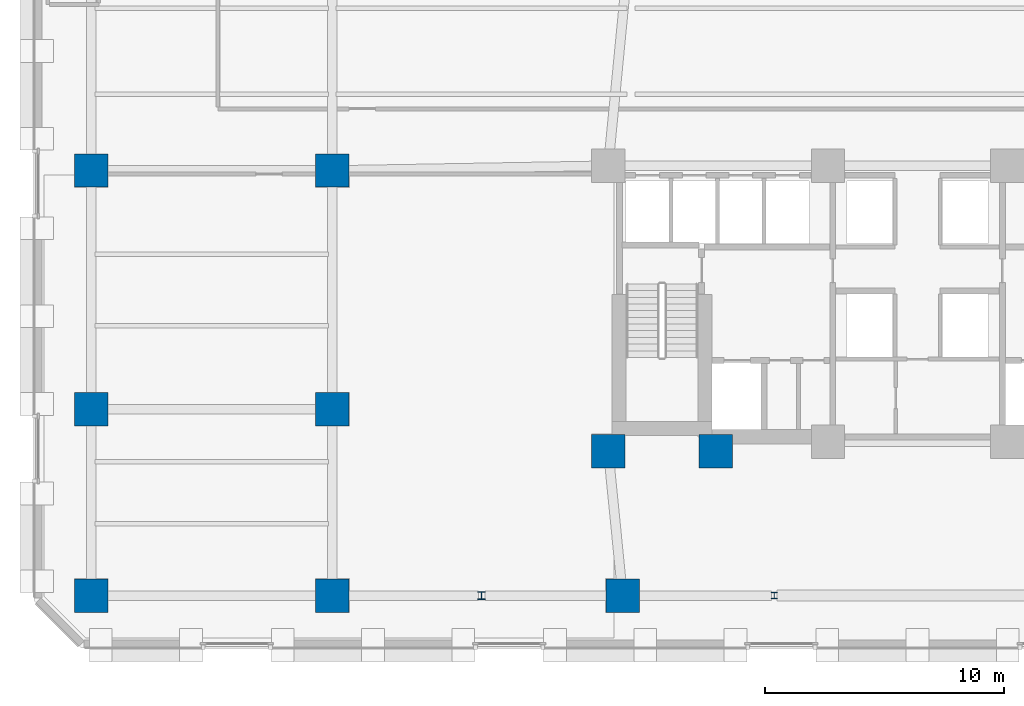
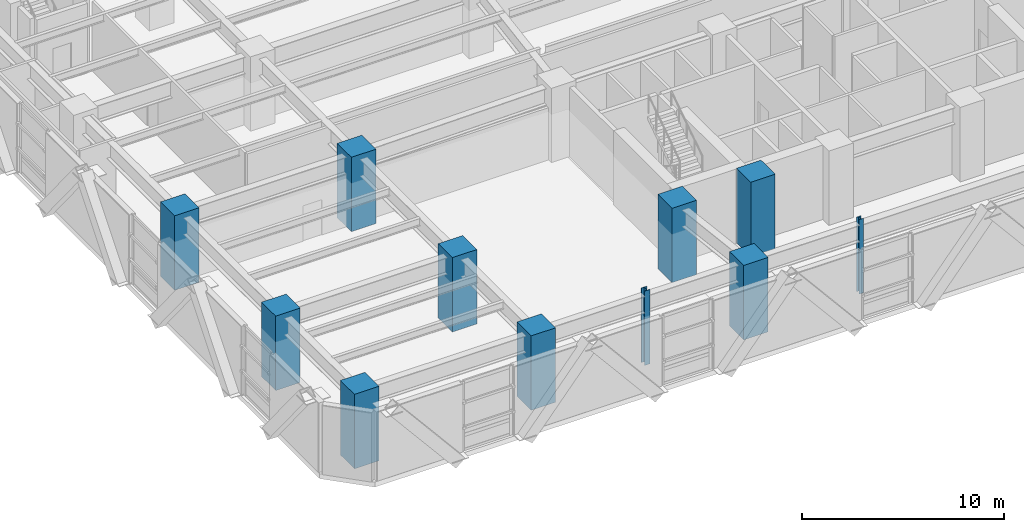
# One storey, part 1 of 26: 11 columns.
"""IFC4 building model written with IfcOpenShell, lengths in metres."""

from ifc_helpers import new_model, si_unit, direction, frame, origin, origin_2d, place, context, subcontext, project, spatial, rectangle, i_section, extrude, material, material_profile, profile_set, type_object, element, save


model = new_model("IFC4")

# Units and contexts
model_context = context("Model", 3, precision=1e-05, world=origin(), true_north=direction((0.0, 1.0)))
body_context = subcontext(model_context, "Body", "Model", "MODEL_VIEW")
ifc_project = project(units=[si_unit("LENGTHUNIT", "METRE"), si_unit("AREAUNIT", "SQUARE_METRE"), si_unit("VOLUMEUNIT", "CUBIC_METRE"), si_unit("PLANEANGLEUNIT", "RADIAN"), si_unit("MASSUNIT", "GRAM", prefix="KILO")], contexts=[model_context])

# Site, building, storey
site_placement = place(None, origin())
site = spatial("IfcSite", under=ifc_project, at=site_placement, CompositionType="ELEMENT")
building_placement = place(site_placement, origin())
building = spatial("IfcBuilding", under=site, at=building_placement, Name="Quenlor Broadcast Tower", CompositionType="ELEMENT")
storey_placement = place(building_placement, frame((0.0, 0.0, 14.0)))
storey = spatial("IfcBuildingStorey", under=building, at=storey_placement, Name="L03", CompositionType="ELEMENT", Elevation=14.0)

# Columns
ifc_material_1 = material(Name="Concrete C65/80", Category="concrete")
ifc_material_profile_1 = material_profile(ifc_material_1, rectangle(XDim=1.39990234375, YDim=1.39990234375, at=origin_2d()))
ifc_profile_set_1 = profile_set([ifc_material_profile_1], Name="Concrete C65/80 RC1400x1400")
column_type_1 = type_object("IfcColumnType", Name="Core Corner Column Lower Concrete C65/80 1400", PredefinedType="COLUMN", material=ifc_profile_set_1)
for number, where, z_axis, x_axis, name in (
    (1, (-12.949951171875, -16.75, 0.0), (0.0, 0.0, 1.0), (1.0, 0.0, 0.0), "L03 Core Column CC1"),
    (2, (-8.449951171875, -16.75, 0.0), (0.0, 0.0, 1.0), (1.0, 0.0, 0.0), "L03 Core Column CC2"),
):
    element("IfcColumn", number, at=place(storey_placement, frame(where, z_axis=z_axis, x_axis=x_axis)), inside=storey, type_object=column_type_1, Name=name, PredefinedType="COLUMN", context=body_context, shape_type="SweptSolid", body=[
        extrude(rectangle(XDim=1.39990234375, YDim=1.39990234375, at=origin_2d()), origin(), (0.0, 0.0, 1.0), 4.5),
    ])
ifc_material_2 = material(Name="Steel S355", Category="steel")
ifc_material_profile_2 = material_profile(ifc_material_2, i_section(OverallWidth=0.256103515625, OverallDepth=0.260009765625, WebThickness=0.010498046875, FlangeThickness=0.017333984375, FilletRadius=0.013916015625, at=origin_2d()))
ifc_profile_set_2 = profile_set([ifc_material_profile_2], Name="Steel S355 250UC89.5")
column_type_2 = type_object("IfcColumnType", Name="Podium Gallery Post Steel S355 250UC89.5", PredefinedType="COLUMN", material=ifc_profile_set_2)
column_1_placement = place(storey_placement, frame((-6.0, -22.800048828125, 0.0), z_axis=(0.0, 0.0, 1.0), x_axis=(1.0, 0.0, 0.0)))
element("IfcColumn", 3, at=column_1_placement, inside=storey, type_object=column_type_2, Name="L03 Station Steel Column SPW2", PredefinedType="COLUMN", context=body_context, shape_type="SweptSolid", body=[
    extrude(i_section(OverallWidth=0.256103515625, OverallDepth=0.260009765625, WebThickness=0.010498046875, FlangeThickness=0.017333984375, FilletRadius=0.013916015625, at=origin_2d()), origin(), (0.0, 0.0, 1.0), 4.5),
])
ifc_material_3 = material(Name="Concrete C65/80", Category="concrete")
ifc_material_profile_3 = material_profile(ifc_material_3, rectangle(XDim=1.39990234375, YDim=1.39990234375, at=origin_2d()))
ifc_profile_set_3 = profile_set([ifc_material_profile_3], Name="Concrete C65/80 RC1400x1400")
column_type_3 = type_object("IfcColumnType", Name="Podium Mega Column Concrete C65/80 1400", PredefinedType="COLUMN", material=ifc_profile_set_3)
for number, where, z_axis, x_axis, name in (
    (4, (-34.60009765625, -22.800048828125, 0.0), (0.0, 0.0, 1.0), (1.0, 0.0, 0.0), "L03 Podium Mega Column PM1"),
    (5, (-24.5, -22.800048828125, 0.0), (0.0, 0.0, 1.0), (1.0, 0.0, 0.0), "L03 Podium Mega Column PM2"),
    (6, (-12.35009765625, -22.800048828125, 0.0), (0.0, 0.0, 1.0), (1.0, 0.0, 0.0), "L03 Podium Mega Column PM3"),
    (7, (-34.60009765625, -15.0, 0.0), (0.0, 0.0, 1.0), (1.0, 0.0, 0.0), "L03 Podium Mega Column PM7"),
    (8, (-24.5, -15.0, 0.0), (0.0, 0.0, 1.0), (1.0, 0.0, 0.0), "L03 Podium Mega Column PM8"),
    (9, (-34.60009765625, -5.0, 0.0), (0.0, 0.0, 1.0), (1.0, 0.0, 0.0), "L03 Podium Mega Column PM11"),
    (10, (-24.5, -5.0, 0.0), (0.0, 0.0, 1.0), (1.0, 0.0, 0.0), "L03 Podium Mega Column PM12"),
):
    element("IfcColumn", number, at=place(storey_placement, frame(where, z_axis=z_axis, x_axis=x_axis)), inside=storey, type_object=column_type_3, Name=name, PredefinedType="COLUMN", context=body_context, shape_type="SweptSolid", body=[
        extrude(rectangle(XDim=1.39990234375, YDim=1.39990234375, at=origin_2d()), origin(), (0.0, 0.0, 1.0), 4.5),
    ])
ifc_material_4 = material(Name="Steel S355", Category="steel")
ifc_material_profile_4 = material_profile(ifc_material_4, i_section(OverallWidth=0.31103515625, OverallDepth=0.3271484375, WebThickness=0.015625, FlangeThickness=0.02490234375, FilletRadius=0.0166015625, at=origin_2d()))
ifc_profile_set_4 = profile_set([ifc_material_profile_4], Name="Steel S355 310UC158")
column_type_4 = type_object("IfcColumnType", Name="Podium Trim Post Steel S355 310UC158", PredefinedType="COLUMN", material=ifc_profile_set_4)
column_2_placement = place(storey_placement, frame((-18.25, -22.800048828125, 0.0), z_axis=(0.0, 0.0, 1.0), x_axis=(1.0, 0.0, 0.0)))
element("IfcColumn", 11, at=column_2_placement, inside=storey, type_object=column_type_4, Name="L03 Station Steel Column SPW1", PredefinedType="COLUMN", context=body_context, shape_type="SweptSolid", body=[
    extrude(i_section(OverallWidth=0.31103515625, OverallDepth=0.3271484375, WebThickness=0.015625, FlangeThickness=0.02490234375, FilletRadius=0.0166015625, at=origin_2d()), origin(), (0.0, 0.0, 1.0), 4.5),
])

save(model, "model.ifc")
